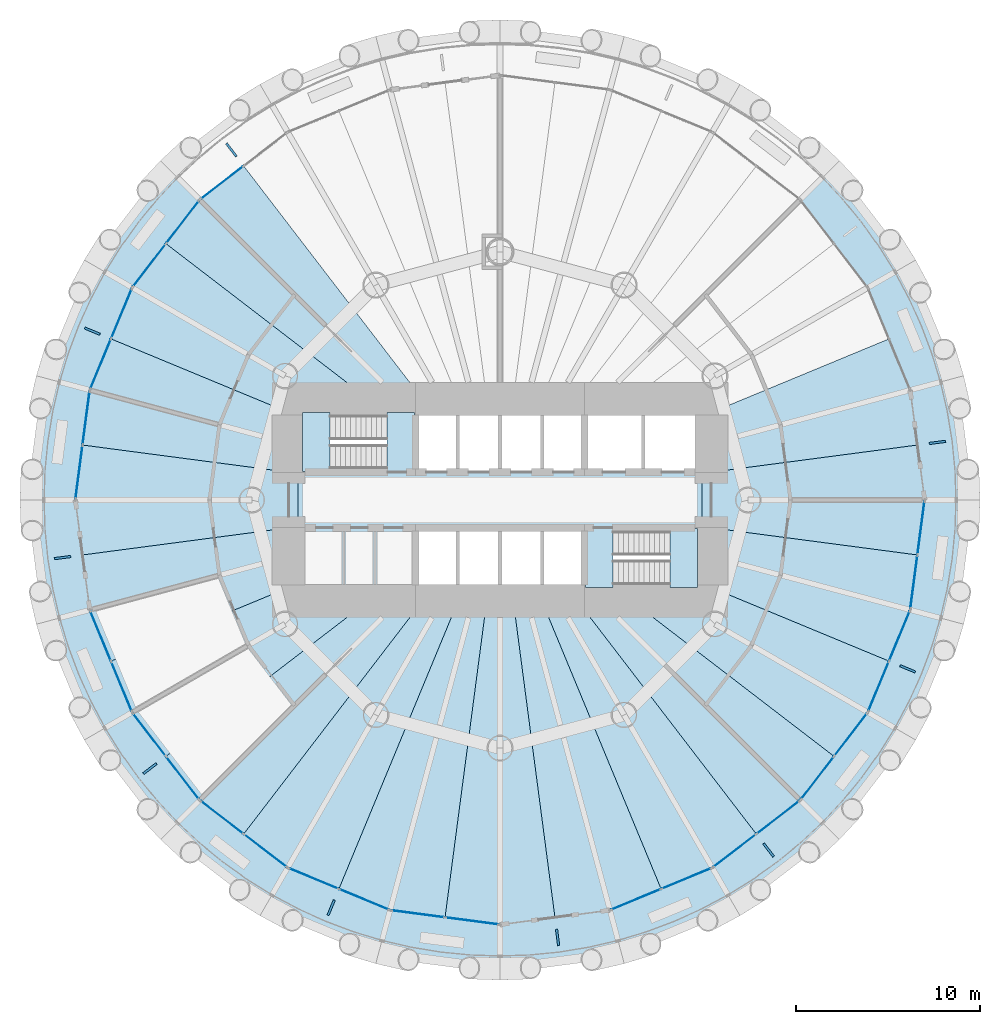
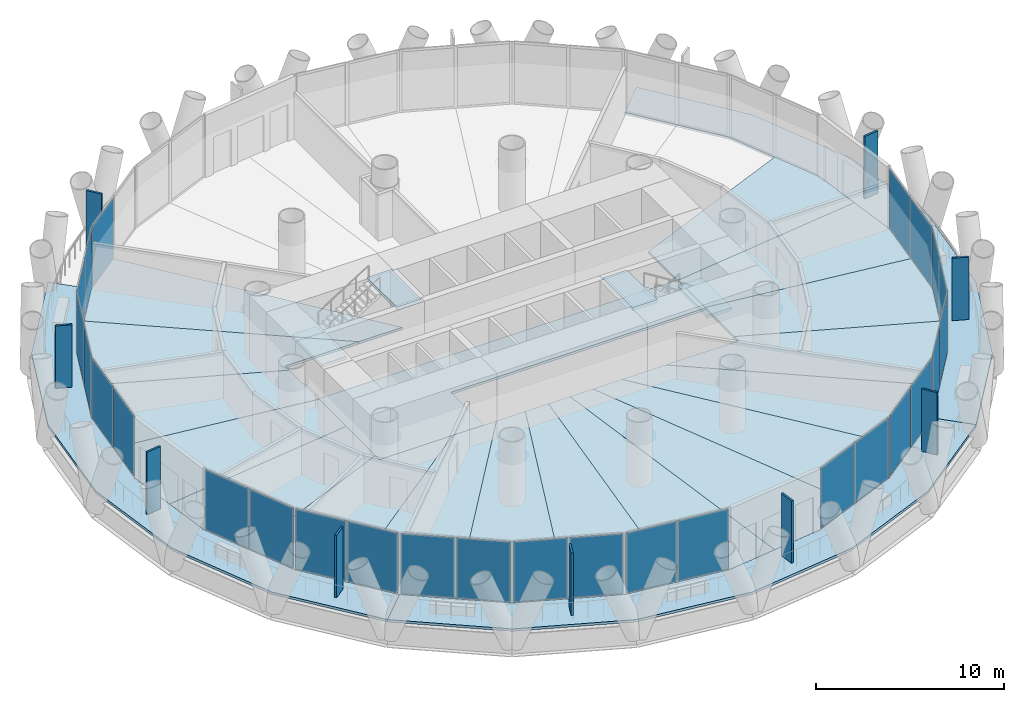
# One storey, part 7 of 14: 36 plates, 25 slabs, 16 elements without a shape of their own.
"""IFC4 building model written with IfcOpenShell, lengths in metres."""

from ifc_helpers import new_model, si_unit, direction, frame, origin, origin_2d, place, context, subcontext, project, spatial, polyline, rectangle, outline, extrude, material, layer, layer_set, type_object, element, aggregate, save


model = new_model("IFC4")

# Units and contexts
model_context = context("Model", 3, precision=1e-05, world=origin(), true_north=direction((0.0, 1.0)))
body_context = subcontext(model_context, "Body", "Model", "MODEL_VIEW")
ifc_project = project(units=[si_unit("LENGTHUNIT", "METRE"), si_unit("AREAUNIT", "SQUARE_METRE"), si_unit("VOLUMEUNIT", "CUBIC_METRE"), si_unit("PLANEANGLEUNIT", "RADIAN"), si_unit("MASSUNIT", "GRAM", prefix="KILO")], contexts=[model_context])

# Site, building, storey
site_placement = place(None, origin())
site = spatial("IfcSite", under=ifc_project, at=site_placement, CompositionType="ELEMENT")
building_placement = place(site_placement, origin())
building = spatial("IfcBuilding", under=site, at=building_placement, Name="Qaws Media Tower", CompositionType="ELEMENT")
storey_placement = place(building_placement, frame((0.0, 0.0, 76.39990234375)))
storey = spatial("IfcBuildingStorey", under=building, at=storey_placement, Name="L16", CompositionType="ELEMENT", Elevation=76.39990234375)

# Slabs
ifc_material_1 = material(Name="Concrete C35/45", Category="concrete")
ifc_layer_1 = layer(ifc_material_1, 0.159912109375)
ifc_layer_set_1 = layer_set([ifc_layer_1], Name="Composite balcony slab 160")
slab_type_1 = type_object("IfcSlabType", Name="Composite balcony slab 160", PredefinedType="FLOOR", material=ifc_layer_set_1)
slab_1_placement = place(storey_placement, frame((0.0, 0.0, -0.159912109375)))
element("IfcSlab", 1, at=slab_1_placement, inside=storey, type_object=slab_type_1, Name="S2 balcony slab L16 R10 to R16, movement joints on R10 and R16", PredefinedType="FLOOR", context=body_context, shape_type="SweptSolid", body=[
    extrude(outline(polyline([(37.91650390625, 37.25), (35.368896484375, 43.400146484375), (34.5, 50.0), (35.368896484375, 56.599853515625), (37.91650390625, 62.75), (41.96875, 68.03125), (43.665771484375, 66.334228515625), (39.994873046875, 61.550048828125), (37.68701171875, 55.978759765625), (36.89990234375, 50.0), (37.68701171875, 44.021240234375), (39.994873046875, 38.449951171875), (43.665771484375, 33.665771484375), (41.96875, 31.96875), (37.91650390625, 37.25)])), origin(), (0.0, 0.0, 1.0), 0.159912109375),
])
slab_2_placement = place(storey_placement, frame((0.0, 0.0, -0.159912109375)))
element("IfcSlab", 2, at=slab_2_placement, inside=storey, type_object=slab_type_1, Name="S2 balcony slab L16 R16 to R22, movement joints on R16 and R22", PredefinedType="FLOOR", context=body_context, shape_type="SweptSolid", body=[
    extrude(outline(polyline([(72.75, 27.91650390625), (66.599853515625, 25.368896484375), (60.0, 24.5), (53.400146484375, 25.368896484375), (47.25, 27.91650390625), (41.96875, 31.96875), (43.665771484375, 33.665771484375), (48.449951171875, 29.994873046875), (54.021240234375, 27.68701171875), (60.0, 26.89990234375), (65.978759765625, 27.68701171875), (71.550048828125, 29.994873046875), (76.334228515625, 33.665771484375), (78.03125, 31.96875), (72.75, 27.91650390625)])), origin(), (0.0, 0.0, 1.0), 0.159912109375),
])
slab_3_placement = place(storey_placement, frame((0.0, 0.0, -0.159912109375)))
element("IfcSlab", 3, at=slab_3_placement, inside=storey, type_object=slab_type_1, Name="S2 balcony slab L16 R22 to R04, movement joints on R22 and R04", PredefinedType="FLOOR", context=body_context, shape_type="SweptSolid", body=[
    extrude(outline(polyline([(82.08349609375, 37.25), (78.03125, 31.96875), (76.334228515625, 33.665771484375), (80.005126953125, 38.449951171875), (82.31298828125, 44.021240234375), (83.10009765625, 50.0), (82.31298828125, 55.978759765625), (80.005126953125, 61.550048828125), (76.334228515625, 66.334228515625), (78.03125, 68.03125), (82.08349609375, 62.75), (84.631103515625, 56.599853515625), (85.5, 50.0), (84.631103515625, 43.400146484375), (82.08349609375, 37.25)])), origin(), (0.0, 0.0, 1.0), 0.159912109375),
])
ifc_material_2 = material(Name="Concrete C35/45", Category="concrete")
ifc_layer_2 = layer(ifc_material_2, 0.159912109375)
ifc_layer_set_2 = layer_set([ifc_layer_2], Name="Composite floor slab 160")
slab_type_2 = type_object("IfcSlabType", Name="Composite floor slab 160", PredefinedType="FLOOR", material=ifc_layer_set_2)
slab_4_placement = place(storey_placement, frame((0.0, 0.0, -0.159912109375)))
element("IfcSlab", 4, at=slab_4_placement, inside=storey, type_object=slab_type_2, Name="S1 core floor slab L16", PredefinedType="FLOOR", context=body_context, shape_type="SweptSolid", body=[
    extrude(outline(polyline([(71.0, 51.5), (71.0, 48.5), (55.39990234375, 48.5), (55.39990234375, 45.0), (49.0, 45.0), (49.0, 51.5), (71.0, 51.5)])), origin(), (0.0, 0.0, 1.0), 0.159912109375),
])
slab_5_placement = place(storey_placement, frame((0.0, 0.0, -0.159912109375)))
element("IfcSlab", 5, at=slab_5_placement, inside=storey, type_object=slab_type_2, Name="S1 floor panel L16 on R01", PredefinedType="FLOOR", context=body_context, shape_type="SweptSolid", body=[
    extrude(outline(polyline([(83.10009765625, 50.0), (82.706298828125, 47.010498046875), (71.0, 48.5517578125), (71.0, 51.4482421875), (82.706298828125, 52.989501953125), (83.10009765625, 50.0)])), origin(), (0.0, 0.0, 1.0), 0.159912109375),
])
slab_6_placement = place(storey_placement, frame((0.0, 0.0, -0.159912109375)))
element("IfcSlab", 6, at=slab_6_placement, inside=storey, type_object=slab_type_2, Name="S1 floor panel L16 on R02", PredefinedType="FLOOR", context=body_context, shape_type="SweptSolid", body=[
    extrude(outline(polyline([(82.31298828125, 55.978759765625), (82.706298828125, 52.989501953125), (71.0, 51.4482421875), (71.0, 54.556396484375), (81.158935546875, 58.764404296875), (82.31298828125, 55.978759765625)])), origin(), (0.0, 0.0, 1.0), 0.159912109375),
])
slab_7_placement = place(storey_placement, frame((0.0, 0.0, -0.159912109375)))
element("IfcSlab", 7, at=slab_7_placement, inside=storey, type_object=slab_type_2, Name="S1 floor panel L16 on R10", PredefinedType="FLOOR", context=body_context, shape_type="SweptSolid", body=[
    extrude(outline(polyline([(43.665771484375, 66.334228515625), (46.057861328125, 68.169677734375), (56.163330078125, 55.0), (53.48388671875, 55.0), (41.830322265625, 63.942138671875), (43.665771484375, 66.334228515625)])), origin(), (0.0, 0.0, 1.0), 0.159912109375),
])
slab_8_placement = place(storey_placement, frame((0.0, 0.0, -0.159912109375)))
element("IfcSlab", 8, at=slab_8_placement, inside=storey, type_object=slab_type_2, Name="S1 floor panel L16 on R11", PredefinedType="FLOOR", context=body_context, shape_type="SweptSolid", body=[
    extrude(outline(polyline([(39.994873046875, 61.550048828125), (41.830322265625, 63.942138671875), (53.48388671875, 55.0), (49.0, 55.0), (49.0, 54.556396484375), (38.841064453125, 58.764404296875), (39.994873046875, 61.550048828125)])), origin(), (0.0, 0.0, 1.0), 0.159912109375),
])
slab_9_placement = place(storey_placement, frame((0.0, 0.0, -0.159912109375)))
element("IfcSlab", 9, at=slab_9_placement, inside=storey, type_object=slab_type_2, Name="S1 floor panel L16 on R12", PredefinedType="FLOOR", context=body_context, shape_type="SweptSolid", body=[
    extrude(outline(polyline([(37.68701171875, 55.978759765625), (38.841064453125, 58.764404296875), (49.0, 54.556396484375), (49.0, 51.4482421875), (37.293701171875, 52.989501953125), (37.68701171875, 55.978759765625)])), origin(), (0.0, 0.0, 1.0), 0.159912109375),
])
slab_10_placement = place(storey_placement, frame((0.0, 0.0, -0.159912109375)))
element("IfcSlab", 10, at=slab_10_placement, inside=storey, type_object=slab_type_2, Name="S1 floor panel L16 on R13", PredefinedType="FLOOR", context=body_context, shape_type="SweptSolid", body=[
    extrude(outline(polyline([(36.89990234375, 50.0), (37.293701171875, 52.989501953125), (49.0, 51.4482421875), (49.0, 48.5517578125), (37.293701171875, 47.010498046875), (36.89990234375, 50.0)])), origin(), (0.0, 0.0, 1.0), 0.159912109375),
])
slab_11_placement = place(storey_placement, frame((0.0, 0.0, -0.159912109375)))
element("IfcSlab", 11, at=slab_11_placement, inside=storey, type_object=slab_type_2, Name="S1 floor panel L16 on R14", PredefinedType="FLOOR", context=body_context, shape_type="SweptSolid", body=[
    extrude(outline(polyline([(37.68701171875, 44.021240234375), (37.293701171875, 47.010498046875), (49.0, 48.5517578125), (49.0, 45.443603515625), (38.841064453125, 41.235595703125), (37.68701171875, 44.021240234375)])), origin(), (0.0, 0.0, 1.0), 0.159912109375),
])
slab_12_placement = place(storey_placement, frame((0.0, 0.0, -0.159912109375)))
element("IfcSlab", 12, at=slab_12_placement, inside=storey, type_object=slab_type_2, Name="S1 floor panel L16 on R15", PredefinedType="FLOOR", context=body_context, shape_type="SweptSolid", body=[
    extrude(outline(polyline([(39.994873046875, 38.449951171875), (38.841064453125, 41.235595703125), (49.0, 45.443603515625), (49.0, 45.0), (53.48388671875, 45.0), (41.830322265625, 36.057861328125), (39.994873046875, 38.449951171875)])), origin(), (0.0, 0.0, 1.0), 0.159912109375),
])
slab_13_placement = place(storey_placement, frame((0.0, 0.0, -0.159912109375)))
element("IfcSlab", 13, at=slab_13_placement, inside=storey, type_object=slab_type_2, Name="S1 floor panel L16 on R16", PredefinedType="FLOOR", context=body_context, shape_type="SweptSolid", body=[
    extrude(outline(polyline([(43.665771484375, 33.665771484375), (41.830322265625, 36.057861328125), (53.48388671875, 45.0), (56.163330078125, 45.0), (46.057861328125, 31.830322265625), (43.665771484375, 33.665771484375)])), origin(), (0.0, 0.0, 1.0), 0.159912109375),
])
slab_14_placement = place(storey_placement, frame((0.0, 0.0, -0.159912109375)))
element("IfcSlab", 14, at=slab_14_placement, inside=storey, type_object=slab_type_2, Name="S1 floor panel L16 on R17", PredefinedType="FLOOR", context=body_context, shape_type="SweptSolid", body=[
    extrude(outline(polyline([(48.449951171875, 29.994873046875), (46.057861328125, 31.830322265625), (56.163330078125, 45.0), (57.928955078125, 45.0), (51.235595703125, 28.841064453125), (48.449951171875, 29.994873046875)])), origin(), (0.0, 0.0, 1.0), 0.159912109375),
])
slab_15_placement = place(storey_placement, frame((0.0, 0.0, -0.159912109375)))
element("IfcSlab", 15, at=slab_15_placement, inside=storey, type_object=slab_type_2, Name="S1 floor panel L16 on R18", PredefinedType="FLOOR", context=body_context, shape_type="SweptSolid", body=[
    extrude(outline(polyline([(54.021240234375, 27.68701171875), (51.235595703125, 28.841064453125), (57.928955078125, 45.0), (59.341796875, 45.0), (57.010498046875, 27.293701171875), (54.021240234375, 27.68701171875)])), origin(), (0.0, 0.0, 1.0), 0.159912109375),
])
slab_16_placement = place(storey_placement, frame((0.0, 0.0, -0.159912109375)))
element("IfcSlab", 16, at=slab_16_placement, inside=storey, type_object=slab_type_2, Name="S1 floor panel L16 on R19", PredefinedType="FLOOR", context=body_context, shape_type="SweptSolid", body=[
    extrude(outline(polyline([(60.0, 26.89990234375), (57.010498046875, 27.293701171875), (59.341796875, 45.0), (60.658203125, 45.0), (62.989501953125, 27.293701171875), (60.0, 26.89990234375)])), origin(), (0.0, 0.0, 1.0), 0.159912109375),
])
slab_17_placement = place(storey_placement, frame((0.0, 0.0, -0.159912109375)))
element("IfcSlab", 17, at=slab_17_placement, inside=storey, type_object=slab_type_2, Name="S1 floor panel L16 on R20", PredefinedType="FLOOR", context=body_context, shape_type="SweptSolid", body=[
    extrude(outline(polyline([(65.978759765625, 27.68701171875), (62.989501953125, 27.293701171875), (60.658203125, 45.0), (62.071044921875, 45.0), (68.764404296875, 28.841064453125), (65.978759765625, 27.68701171875)])), origin(), (0.0, 0.0, 1.0), 0.159912109375),
])
slab_18_placement = place(storey_placement, frame((0.0, 0.0, -0.159912109375)))
element("IfcSlab", 18, at=slab_18_placement, inside=storey, type_object=slab_type_2, Name="S1 floor panel L16 on R21", PredefinedType="FLOOR", context=body_context, shape_type="SweptSolid", body=[
    extrude(outline(polyline([(71.550048828125, 29.994873046875), (68.764404296875, 28.841064453125), (62.071044921875, 45.0), (63.836669921875, 45.0), (73.942138671875, 31.830322265625), (71.550048828125, 29.994873046875)])), origin(), (0.0, 0.0, 1.0), 0.159912109375),
])
slab_19_placement = place(storey_placement, frame((0.0, 0.0, -0.159912109375)))
element("IfcSlab", 19, at=slab_19_placement, inside=storey, type_object=slab_type_2, Name="S1 floor panel L16 on R22", PredefinedType="FLOOR", context=body_context, shape_type="SweptSolid", body=[
    extrude(outline(polyline([(76.334228515625, 33.665771484375), (73.942138671875, 31.830322265625), (63.836669921875, 45.0), (66.51611328125, 45.0), (78.169677734375, 36.057861328125), (76.334228515625, 33.665771484375)])), origin(), (0.0, 0.0, 1.0), 0.159912109375),
])
slab_20_placement = place(storey_placement, frame((0.0, 0.0, -0.159912109375)))
element("IfcSlab", 20, at=slab_20_placement, inside=storey, type_object=slab_type_2, Name="S1 floor panel L16 on R23", PredefinedType="FLOOR", context=body_context, shape_type="SweptSolid", body=[
    extrude(outline(polyline([(80.005126953125, 38.449951171875), (78.169677734375, 36.057861328125), (66.51611328125, 45.0), (71.0, 45.0), (71.0, 45.443603515625), (81.158935546875, 41.235595703125), (80.005126953125, 38.449951171875)])), origin(), (0.0, 0.0, 1.0), 0.159912109375),
])
slab_21_placement = place(storey_placement, frame((0.0, 0.0, -0.159912109375)))
element("IfcSlab", 21, at=slab_21_placement, inside=storey, type_object=slab_type_2, Name="S1 floor panel L16 on R24", PredefinedType="FLOOR", context=body_context, shape_type="SweptSolid", body=[
    extrude(outline(polyline([(81.158935546875, 41.235595703125), (71.0, 45.443603515625), (71.0, 48.5517578125), (82.706298828125, 47.010498046875), (82.31298828125, 44.021240234375), (81.158935546875, 41.235595703125)])), origin(), (0.0, 0.0, 1.0), 0.159912109375),
])

# Curtain wall, plate
ifc_material_3 = material(Name="Aluminium and clear glass", Category="aluminium")
curtain_wall_type = type_object("IfcCurtainWallType", Name="Unitised curtain wall CW-A", PredefinedType="NOTDEFINED", material=ifc_material_3)
curtain_wall_1_placement = place(storey_placement, origin())
curtain_wall_1 = element("IfcCurtainWall", 22, at=curtain_wall_1_placement, inside=storey, type_object=curtain_wall_type, Name="CWA curtain wall L16-09", PredefinedType="NOTDEFINED")
ifc_material_4 = material(Name="Clear laminated double glazing", Category="glass")
ifc_layer_3 = layer(ifc_material_4, 0.031982421875)
ifc_layer_set_3 = layer_set([ifc_layer_3], Name="Curtain wall glass unit 32")
plate_type_1 = type_object("IfcPlateType", Name="Curtain wall glass unit 32", PredefinedType="CURTAIN_PANEL", material=ifc_layer_set_3)
plate_1_placement = place(storey_placement, frame((44.877685546875, 67.26416015625, 0.080078125), z_axis=(0.0, 0.0, 1.0), x_axis=(-0.79335337666, -0.608761381612, 0.0)))
plate_1 = element("IfcPlate", 23, at=plate_1_placement, type_object=plate_type_1, Name="CWA panel 2.1", PredefinedType="CURTAIN_PANEL", context=body_context, shape_type="SweptSolid", body=[
    extrude(rectangle(XDim=2.895263671875, YDim=0.031982421875, at=origin_2d()), origin(), (0.0, 0.0, 1.0), 3.8798828125),
])
aggregate(curtain_wall_1, [plate_1])

# Curtain wall, plates
curtain_wall_2_placement = place(storey_placement, origin())
curtain_wall_2 = element("IfcCurtainWall", 24, at=curtain_wall_2_placement, inside=storey, type_object=curtain_wall_type, Name="CWA curtain wall L16-10", PredefinedType="NOTDEFINED")
plate_2_placement = place(storey_placement, frame((42.73583984375, 65.122314453125, 0.080078125), z_axis=(0.0, 0.0, 1.0), x_axis=(-0.608761381612, -0.79335337666, 0.0)))
plate_2 = element("IfcPlate", 25, at=plate_2_placement, type_object=plate_type_1, Name="CWA panel 1.1", PredefinedType="CURTAIN_PANEL", context=body_context, shape_type="SweptSolid", body=[
    extrude(rectangle(XDim=2.895263671875, YDim=0.031982421875, at=origin_2d()), origin(), (0.0, 0.0, 1.0), 3.8798828125),
])
plate_3_placement = place(storey_placement, frame((40.9248046875, 62.761962890625, 0.080078125), z_axis=(0.0, 0.0, 1.0), x_axis=(-0.608761381612, -0.79335337666, 0.0)))
plate_3 = element("IfcPlate", 26, at=plate_3_placement, type_object=plate_type_1, Name="CWA panel 2.1", PredefinedType="CURTAIN_PANEL", context=body_context, shape_type="SweptSolid", body=[
    extrude(rectangle(XDim=2.895263671875, YDim=0.031982421875, at=origin_2d()), origin(), (0.0, 0.0, 1.0), 3.8798828125),
])
aggregate(curtain_wall_2, [plate_2, plate_3])

curtain_wall_3_placement = place(storey_placement, origin())
curtain_wall_3 = element("IfcCurtainWall", 27, at=curtain_wall_3_placement, inside=storey, type_object=curtain_wall_type, Name="CWA curtain wall L16-11", PredefinedType="NOTDEFINED")
plate_4_placement = place(storey_placement, frame((39.41015625, 60.138671875, 0.080078125), z_axis=(0.0, 0.0, 1.0), x_axis=(-0.382683469758, -0.923879517022, 0.0)))
plate_4 = element("IfcPlate", 28, at=plate_4_placement, type_object=plate_type_1, Name="CWA panel 1.1", PredefinedType="CURTAIN_PANEL", context=body_context, shape_type="SweptSolid", body=[
    extrude(rectangle(XDim=2.895263671875, YDim=0.031982421875, at=origin_2d()), origin(), (0.0, 0.0, 1.0), 3.8798828125),
])
plate_5_placement = place(storey_placement, frame((38.271728515625, 57.39013671875, 0.080078125), z_axis=(0.0, 0.0, 1.0), x_axis=(-0.382683469758, -0.923879517022, 0.0)))
plate_5 = element("IfcPlate", 29, at=plate_5_placement, type_object=plate_type_1, Name="CWA panel 2.1", PredefinedType="CURTAIN_PANEL", context=body_context, shape_type="SweptSolid", body=[
    extrude(rectangle(XDim=2.895263671875, YDim=0.031982421875, at=origin_2d()), origin(), (0.0, 0.0, 1.0), 3.8798828125),
])
aggregate(curtain_wall_3, [plate_4, plate_5])

curtain_wall_4_placement = place(storey_placement, origin())
curtain_wall_4 = element("IfcCurtainWall", 30, at=curtain_wall_4_placement, inside=storey, type_object=curtain_wall_type, Name="CWA curtain wall L16-12", PredefinedType="NOTDEFINED")
plate_6_placement = place(storey_placement, frame((37.48779296875, 54.464111328125, 0.080078125), z_axis=(0.0, 0.0, 1.0), x_axis=(-0.130526123696, -0.991444870395, 0.0)))
plate_6 = element("IfcPlate", 31, at=plate_6_placement, type_object=plate_type_1, Name="CWA panel 1.1", PredefinedType="CURTAIN_PANEL", context=body_context, shape_type="SweptSolid", body=[
    extrude(rectangle(XDim=2.895263671875, YDim=0.031982421875, at=origin_2d()), origin(), (0.0, 0.0, 1.0), 3.8798828125),
])
plate_7_placement = place(storey_placement, frame((37.099365234375, 51.514404296875, 0.080078125), z_axis=(0.0, 0.0, 1.0), x_axis=(-0.130526123696, -0.991444870395, 0.0)))
plate_7 = element("IfcPlate", 32, at=plate_7_placement, type_object=plate_type_1, Name="CWA panel 2.1", PredefinedType="CURTAIN_PANEL", context=body_context, shape_type="SweptSolid", body=[
    extrude(rectangle(XDim=2.895263671875, YDim=0.031982421875, at=origin_2d()), origin(), (0.0, 0.0, 1.0), 3.8798828125),
])
aggregate(curtain_wall_4, [plate_6, plate_7])

curtain_wall_5_placement = place(storey_placement, origin())
curtain_wall_5 = element("IfcCurtainWall", 33, at=curtain_wall_5_placement, inside=storey, type_object=curtain_wall_type, Name="CWA curtain wall L16-14", PredefinedType="NOTDEFINED")
plate_8_placement = place(storey_placement, frame((38.271728515625, 42.60986328125, 0.080078125), z_axis=(0.0, 0.0, 1.0), x_axis=(0.382683469758, -0.923879517022, 0.0)))
plate_8 = element("IfcPlate", 34, at=plate_8_placement, type_object=plate_type_1, Name="CWA panel 1.1", PredefinedType="CURTAIN_PANEL", context=body_context, shape_type="SweptSolid", body=[
    extrude(rectangle(XDim=2.895263671875, YDim=0.031982421875, at=origin_2d()), origin(), (0.0, 0.0, 1.0), 3.8798828125),
])
plate_9_placement = place(storey_placement, frame((39.41015625, 39.861328125, 0.080078125), z_axis=(0.0, 0.0, 1.0), x_axis=(0.382683469758, -0.923879517022, 0.0)))
plate_9 = element("IfcPlate", 35, at=plate_9_placement, type_object=plate_type_1, Name="CWA panel 2.1", PredefinedType="CURTAIN_PANEL", context=body_context, shape_type="SweptSolid", body=[
    extrude(rectangle(XDim=2.895263671875, YDim=0.031982421875, at=origin_2d()), origin(), (0.0, 0.0, 1.0), 3.8798828125),
])
aggregate(curtain_wall_5, [plate_8, plate_9])

curtain_wall_6_placement = place(storey_placement, origin())
curtain_wall_6 = element("IfcCurtainWall", 36, at=curtain_wall_6_placement, inside=storey, type_object=curtain_wall_type, Name="CWA curtain wall L16-15", PredefinedType="NOTDEFINED")
plate_10_placement = place(storey_placement, frame((40.9248046875, 37.238037109375, 0.080078125), z_axis=(0.0, 0.0, 1.0), x_axis=(0.608761381612, -0.79335337666, 0.0)))
plate_10 = element("IfcPlate", 37, at=plate_10_placement, type_object=plate_type_1, Name="CWA panel 1.1", PredefinedType="CURTAIN_PANEL", context=body_context, shape_type="SweptSolid", body=[
    extrude(rectangle(XDim=2.895263671875, YDim=0.031982421875, at=origin_2d()), origin(), (0.0, 0.0, 1.0), 3.8798828125),
])
plate_11_placement = place(storey_placement, frame((42.73583984375, 34.877685546875, 0.080078125), z_axis=(0.0, 0.0, 1.0), x_axis=(0.608761381612, -0.79335337666, 0.0)))
plate_11 = element("IfcPlate", 38, at=plate_11_placement, type_object=plate_type_1, Name="CWA panel 2.1", PredefinedType="CURTAIN_PANEL", context=body_context, shape_type="SweptSolid", body=[
    extrude(rectangle(XDim=2.895263671875, YDim=0.031982421875, at=origin_2d()), origin(), (0.0, 0.0, 1.0), 3.8798828125),
])
aggregate(curtain_wall_6, [plate_10, plate_11])

curtain_wall_7_placement = place(storey_placement, origin())
curtain_wall_7 = element("IfcCurtainWall", 39, at=curtain_wall_7_placement, inside=storey, type_object=curtain_wall_type, Name="CWA curtain wall L16-16", PredefinedType="NOTDEFINED")
plate_12_placement = place(storey_placement, frame((44.877685546875, 32.73583984375, 0.080078125), z_axis=(0.0, 0.0, 1.0), x_axis=(0.79335337666, -0.608761381612, 0.0)))
plate_12 = element("IfcPlate", 40, at=plate_12_placement, type_object=plate_type_1, Name="CWA panel 1.1", PredefinedType="CURTAIN_PANEL", context=body_context, shape_type="SweptSolid", body=[
    extrude(rectangle(XDim=2.895263671875, YDim=0.031982421875, at=origin_2d()), origin(), (0.0, 0.0, 1.0), 3.8798828125),
])
plate_13_placement = place(storey_placement, frame((47.238037109375, 30.9248046875, 0.080078125), z_axis=(0.0, 0.0, 1.0), x_axis=(0.79335337666, -0.608761381612, 0.0)))
plate_13 = element("IfcPlate", 41, at=plate_13_placement, type_object=plate_type_1, Name="CWA panel 2.1", PredefinedType="CURTAIN_PANEL", context=body_context, shape_type="SweptSolid", body=[
    extrude(rectangle(XDim=2.895263671875, YDim=0.031982421875, at=origin_2d()), origin(), (0.0, 0.0, 1.0), 3.8798828125),
])
aggregate(curtain_wall_7, [plate_12, plate_13])

curtain_wall_8_placement = place(storey_placement, origin())
curtain_wall_8 = element("IfcCurtainWall", 42, at=curtain_wall_8_placement, inside=storey, type_object=curtain_wall_type, Name="CWA curtain wall L16-17", PredefinedType="NOTDEFINED")
plate_14_placement = place(storey_placement, frame((49.861328125, 29.41015625, 0.080078125), z_axis=(0.0, 0.0, 1.0), x_axis=(0.923879517022, -0.382683469758, 0.0)))
plate_14 = element("IfcPlate", 43, at=plate_14_placement, type_object=plate_type_1, Name="CWA panel 1.1", PredefinedType="CURTAIN_PANEL", context=body_context, shape_type="SweptSolid", body=[
    extrude(rectangle(XDim=2.895263671875, YDim=0.031982421875, at=origin_2d()), origin(), (0.0, 0.0, 1.0), 3.8798828125),
])
plate_15_placement = place(storey_placement, frame((52.60986328125, 28.271728515625, 0.080078125), z_axis=(0.0, 0.0, 1.0), x_axis=(0.923879517022, -0.382683469758, 0.0)))
plate_15 = element("IfcPlate", 44, at=plate_15_placement, type_object=plate_type_1, Name="CWA panel 2.1", PredefinedType="CURTAIN_PANEL", context=body_context, shape_type="SweptSolid", body=[
    extrude(rectangle(XDim=2.895263671875, YDim=0.031982421875, at=origin_2d()), origin(), (0.0, 0.0, 1.0), 3.8798828125),
])
aggregate(curtain_wall_8, [plate_14, plate_15])

curtain_wall_9_placement = place(storey_placement, origin())
curtain_wall_9 = element("IfcCurtainWall", 45, at=curtain_wall_9_placement, inside=storey, type_object=curtain_wall_type, Name="CWA curtain wall L16-18", PredefinedType="NOTDEFINED")
plate_16_placement = place(storey_placement, frame((55.535888671875, 27.48779296875, 0.080078125), z_axis=(0.0, 0.0, 1.0), x_axis=(0.991444870395, -0.130526123696, 0.0)))
plate_16 = element("IfcPlate", 46, at=plate_16_placement, type_object=plate_type_1, Name="CWA panel 1.1", PredefinedType="CURTAIN_PANEL", context=body_context, shape_type="SweptSolid", body=[
    extrude(rectangle(XDim=2.895263671875, YDim=0.031982421875, at=origin_2d()), origin(), (0.0, 0.0, 1.0), 3.8798828125),
])
plate_17_placement = place(storey_placement, frame((58.485595703125, 27.099365234375, 0.080078125), z_axis=(0.0, 0.0, 1.0), x_axis=(0.991444870395, -0.130526123696, 0.0)))
plate_17 = element("IfcPlate", 47, at=plate_17_placement, type_object=plate_type_1, Name="CWA panel 2.1", PredefinedType="CURTAIN_PANEL", context=body_context, shape_type="SweptSolid", body=[
    extrude(rectangle(XDim=2.895263671875, YDim=0.031982421875, at=origin_2d()), origin(), (0.0, 0.0, 1.0), 3.8798828125),
])
aggregate(curtain_wall_9, [plate_16, plate_17])

curtain_wall_10_placement = place(storey_placement, origin())
curtain_wall_10 = element("IfcCurtainWall", 48, at=curtain_wall_10_placement, inside=storey, type_object=curtain_wall_type, Name="CWA curtain wall L16-20", PredefinedType="NOTDEFINED")
plate_18_placement = place(storey_placement, frame((67.39013671875, 28.271728515625, 0.080078125), z_axis=(0.0, 0.0, 1.0), x_axis=(0.923879517022, 0.382683469758, 0.0)))
plate_18 = element("IfcPlate", 49, at=plate_18_placement, type_object=plate_type_1, Name="CWA panel 1.1", PredefinedType="CURTAIN_PANEL", context=body_context, shape_type="SweptSolid", body=[
    extrude(rectangle(XDim=2.895263671875, YDim=0.031982421875, at=origin_2d()), origin(), (0.0, 0.0, 1.0), 3.8798828125),
])
plate_19_placement = place(storey_placement, frame((70.138671875, 29.41015625, 0.080078125), z_axis=(0.0, 0.0, 1.0), x_axis=(0.923879517022, 0.382683469758, 0.0)))
plate_19 = element("IfcPlate", 50, at=plate_19_placement, type_object=plate_type_1, Name="CWA panel 2.1", PredefinedType="CURTAIN_PANEL", context=body_context, shape_type="SweptSolid", body=[
    extrude(rectangle(XDim=2.895263671875, YDim=0.031982421875, at=origin_2d()), origin(), (0.0, 0.0, 1.0), 3.8798828125),
])
aggregate(curtain_wall_10, [plate_18, plate_19])

curtain_wall_11_placement = place(storey_placement, origin())
curtain_wall_11 = element("IfcCurtainWall", 51, at=curtain_wall_11_placement, inside=storey, type_object=curtain_wall_type, Name="CWA curtain wall L16-21", PredefinedType="NOTDEFINED")
plate_20_placement = place(storey_placement, frame((72.761962890625, 30.9248046875, 0.080078125), z_axis=(0.0, 0.0, 1.0), x_axis=(0.79335337666, 0.608761381612, 0.0)))
plate_20 = element("IfcPlate", 52, at=plate_20_placement, type_object=plate_type_1, Name="CWA panel 1.1", PredefinedType="CURTAIN_PANEL", context=body_context, shape_type="SweptSolid", body=[
    extrude(rectangle(XDim=2.895263671875, YDim=0.031982421875, at=origin_2d()), origin(), (0.0, 0.0, 1.0), 3.8798828125),
])
plate_21_placement = place(storey_placement, frame((75.122314453125, 32.73583984375, 0.080078125), z_axis=(0.0, 0.0, 1.0), x_axis=(0.79335337666, 0.608761381612, 0.0)))
plate_21 = element("IfcPlate", 53, at=plate_21_placement, type_object=plate_type_1, Name="CWA panel 2.1", PredefinedType="CURTAIN_PANEL", context=body_context, shape_type="SweptSolid", body=[
    extrude(rectangle(XDim=2.895263671875, YDim=0.031982421875, at=origin_2d()), origin(), (0.0, 0.0, 1.0), 3.8798828125),
])
aggregate(curtain_wall_11, [plate_20, plate_21])

curtain_wall_12_placement = place(storey_placement, origin())
curtain_wall_12 = element("IfcCurtainWall", 54, at=curtain_wall_12_placement, inside=storey, type_object=curtain_wall_type, Name="CWA curtain wall L16-22", PredefinedType="NOTDEFINED")
plate_22_placement = place(storey_placement, frame((77.26416015625, 34.877685546875, 0.080078125), z_axis=(0.0, 0.0, 1.0), x_axis=(0.608761381612, 0.79335337666, 0.0)))
plate_22 = element("IfcPlate", 55, at=plate_22_placement, type_object=plate_type_1, Name="CWA panel 1.1", PredefinedType="CURTAIN_PANEL", context=body_context, shape_type="SweptSolid", body=[
    extrude(rectangle(XDim=2.895263671875, YDim=0.031982421875, at=origin_2d()), origin(), (0.0, 0.0, 1.0), 3.8798828125),
])
plate_23_placement = place(storey_placement, frame((79.0751953125, 37.238037109375, 0.080078125), z_axis=(0.0, 0.0, 1.0), x_axis=(0.608761381612, 0.79335337666, 0.0)))
plate_23 = element("IfcPlate", 56, at=plate_23_placement, type_object=plate_type_1, Name="CWA panel 2.1", PredefinedType="CURTAIN_PANEL", context=body_context, shape_type="SweptSolid", body=[
    extrude(rectangle(XDim=2.895263671875, YDim=0.031982421875, at=origin_2d()), origin(), (0.0, 0.0, 1.0), 3.8798828125),
])
aggregate(curtain_wall_12, [plate_22, plate_23])

curtain_wall_13_placement = place(storey_placement, origin())
curtain_wall_13 = element("IfcCurtainWall", 57, at=curtain_wall_13_placement, inside=storey, type_object=curtain_wall_type, Name="CWA curtain wall L16-23", PredefinedType="NOTDEFINED")
plate_24_placement = place(storey_placement, frame((80.58984375, 39.861328125, 0.080078125), z_axis=(0.0, 0.0, 1.0), x_axis=(0.382683469758, 0.923879517022, 0.0)))
plate_24 = element("IfcPlate", 58, at=plate_24_placement, type_object=plate_type_1, Name="CWA panel 1.1", PredefinedType="CURTAIN_PANEL", context=body_context, shape_type="SweptSolid", body=[
    extrude(rectangle(XDim=2.895263671875, YDim=0.031982421875, at=origin_2d()), origin(), (0.0, 0.0, 1.0), 3.8798828125),
])
plate_25_placement = place(storey_placement, frame((81.728271484375, 42.60986328125, 0.080078125), z_axis=(0.0, 0.0, 1.0), x_axis=(0.382683469758, 0.923879517022, 0.0)))
plate_25 = element("IfcPlate", 59, at=plate_25_placement, type_object=plate_type_1, Name="CWA panel 2.1", PredefinedType="CURTAIN_PANEL", context=body_context, shape_type="SweptSolid", body=[
    extrude(rectangle(XDim=2.895263671875, YDim=0.031982421875, at=origin_2d()), origin(), (0.0, 0.0, 1.0), 3.8798828125),
])
aggregate(curtain_wall_13, [plate_24, plate_25])

curtain_wall_14_placement = place(storey_placement, origin())
curtain_wall_14 = element("IfcCurtainWall", 60, at=curtain_wall_14_placement, inside=storey, type_object=curtain_wall_type, Name="CWA curtain wall L16-24", PredefinedType="NOTDEFINED")
plate_26_placement = place(storey_placement, frame((82.51220703125, 45.535888671875, 0.080078125), z_axis=(0.0, 0.0, 1.0), x_axis=(0.130526123696, 0.991444870395, 0.0)))
plate_26 = element("IfcPlate", 61, at=plate_26_placement, type_object=plate_type_1, Name="CWA panel 1.1", PredefinedType="CURTAIN_PANEL", context=body_context, shape_type="SweptSolid", body=[
    extrude(rectangle(XDim=2.895263671875, YDim=0.031982421875, at=origin_2d()), origin(), (0.0, 0.0, 1.0), 3.8798828125),
])
plate_27_placement = place(storey_placement, frame((82.900634765625, 48.485595703125, 0.080078125), z_axis=(0.0, 0.0, 1.0), x_axis=(0.130526123696, 0.991444870395, 0.0)))
plate_27 = element("IfcPlate", 62, at=plate_27_placement, type_object=plate_type_1, Name="CWA panel 2.1", PredefinedType="CURTAIN_PANEL", context=body_context, shape_type="SweptSolid", body=[
    extrude(rectangle(XDim=2.895263671875, YDim=0.031982421875, at=origin_2d()), origin(), (0.0, 0.0, 1.0), 3.8798828125),
])
aggregate(curtain_wall_14, [plate_26, plate_27])

# Plates
ifc_material_5 = material(Name="Precast concrete screen fin", Category="concrete")
ifc_layer_4 = layer(ifc_material_5, 0.1201171875)
ifc_layer_set_4 = layer_set([ifc_layer_4], Name="Screen fin 120x900")
plate_type_2 = type_object("IfcPlateType", Name="Screen fin 120x900", PredefinedType="USERDEFINED", material=ifc_layer_set_4)
for number, where, z_axis, x_axis, name in (
    (63, (83.794677734375, 53.132568359375, 0.0), (0.0, 0.0, 1.0), (0.991444861374, 0.13052619222, 0.0), "SCR1 screen fin L16-01"),
    (64, (45.3896484375, 69.04052734375, 0.0), (0.0, 0.0, 1.0), (-0.608761429009, 0.793353340291, 0.0), "SCR1 screen fin L16-05"),
    (65, (37.826904296875, 59.184326171875, 0.0), (0.0, 0.0, 1.0), (-0.923879532511, 0.382683432365, 0.0), "SCR1 screen fin L16-06"),
    (66, (36.205322265625, 46.867431640625, 0.0), (0.0, 0.0, 1.0), (-0.991444861374, -0.13052619222, 0.0), "SCR1 screen fin L16-07"),
    (67, (40.95947265625, 35.3896484375, 0.0), (0.0, 0.0, 1.0), (-0.793353340291, -0.608761429009, 0.0), "SCR1 screen fin L16-08"),
    (68, (50.815673828125, 27.826904296875, 0.0), (0.0, 0.0, 1.0), (-0.382683432365, -0.923879532511, 0.0), "SCR1 screen fin L16-09"),
    (69, (63.132568359375, 26.205322265625, 0.0), (0.0, 0.0, 1.0), (0.13052619222, -0.991444861374, 0.0), "SCR1 screen fin L16-10"),
    (70, (74.6103515625, 30.95947265625, 0.0), (0.0, 0.0, 1.0), (0.608761429009, -0.793353340291, 0.0), "SCR1 screen fin L16-11"),
    (71, (82.173095703125, 40.815673828125, 0.0), (0.0, 0.0, 1.0), (0.923879532511, -0.382683432365, 0.0), "SCR1 screen fin L16-12"),
):
    element("IfcPlate", number, at=place(storey_placement, frame(where, z_axis=z_axis, x_axis=x_axis)), inside=storey, type_object=plate_type_2, Name=name, ObjectType="SCREEN", PredefinedType="USERDEFINED", context=body_context, shape_type="SweptSolid", body=[
        extrude(rectangle(XDim=0.89990234375, YDim=0.1201171875, at=origin_2d()), origin(), (0.0, 0.0, 1.0), 4.0400390625),
    ])

# Stair, slabs
ifc_material_6 = material(Name="Concrete C40/50", Category="concrete")
stair_type = type_object("IfcStairType", Name="Exit stair", PredefinedType="HALF_TURN_STAIR", material=ifc_material_6)
stair_1_placement = place(storey_placement, origin())
stair_1 = element("IfcStair", 72, at=stair_1_placement, inside=storey, type_object=stair_type, Name="S1 exit stair L16", PredefinedType="HALF_TURN_STAIR")
ifc_material_7 = material(Name="Concrete C40/50", Category="concrete")
ifc_layer_5 = layer(ifc_material_7, 0.199951171875)
ifc_layer_set_5 = layer_set([ifc_layer_5], Name="Stair landing 200")
slab_type_3 = type_object("IfcSlabType", Name="Stair landing 200", PredefinedType="LANDING", material=ifc_layer_set_5)
slab_22_placement = place(storey_placement, frame((0.0, 0.0, 1.900146484375)))
slab_22 = element("IfcSlab", 73, at=slab_22_placement, type_object=slab_type_3, Name="S1 landing 1", PredefinedType="LANDING", context=body_context, shape_type="SweptSolid", body=[
    extrude(outline(polyline([(49.25, 51.550048828125), (50.760009765625, 51.550048828125), (50.760009765625, 54.75), (49.25, 54.75), (49.25, 51.550048828125)])), origin(), (0.0, 0.0, 1.0), 0.199951171875),
])
slab_23_placement = place(storey_placement, frame((0.0, 0.0, 4.0)))
slab_23 = element("IfcSlab", 74, at=slab_23_placement, type_object=slab_type_3, Name="S1 landing 2", PredefinedType="LANDING", context=body_context, shape_type="SweptSolid", body=[
    extrude(outline(polyline([(53.840087890625, 51.550048828125), (55.35009765625, 51.550048828125), (55.35009765625, 54.75), (53.840087890625, 54.75), (53.840087890625, 51.550048828125)])), origin(), (0.0, 0.0, 1.0), 0.2001953125),
])
aggregate(stair_1, [slab_22, slab_23])

stair_2_placement = place(storey_placement, origin())
stair_2 = element("IfcStair", 75, at=stair_2_placement, inside=storey, type_object=stair_type, Name="S2 exit stair L16", PredefinedType="HALF_TURN_STAIR")
slab_24_placement = place(storey_placement, frame((0.0, 0.0, 1.900146484375)))
slab_24 = element("IfcSlab", 76, at=slab_24_placement, type_object=slab_type_3, Name="S2 landing 1", PredefinedType="LANDING", context=body_context, shape_type="SweptSolid", body=[
    extrude(outline(polyline([(69.239990234375, 45.25), (70.75, 45.25), (70.75, 48.449951171875), (69.239990234375, 48.449951171875), (69.239990234375, 45.25)])), origin(), (0.0, 0.0, 1.0), 0.199951171875),
])
slab_25_placement = place(storey_placement, frame((0.0, 0.0, 4.0)))
slab_25 = element("IfcSlab", 77, at=slab_25_placement, type_object=slab_type_3, Name="S2 landing 2", PredefinedType="LANDING", context=body_context, shape_type="SweptSolid", body=[
    extrude(outline(polyline([(64.64990234375, 45.25), (66.159912109375, 45.25), (66.159912109375, 48.449951171875), (64.64990234375, 48.449951171875), (64.64990234375, 45.25)])), origin(), (0.0, 0.0, 1.0), 0.2001953125),
])
aggregate(stair_2, [slab_24, slab_25])

save(model, "model.ifc")
